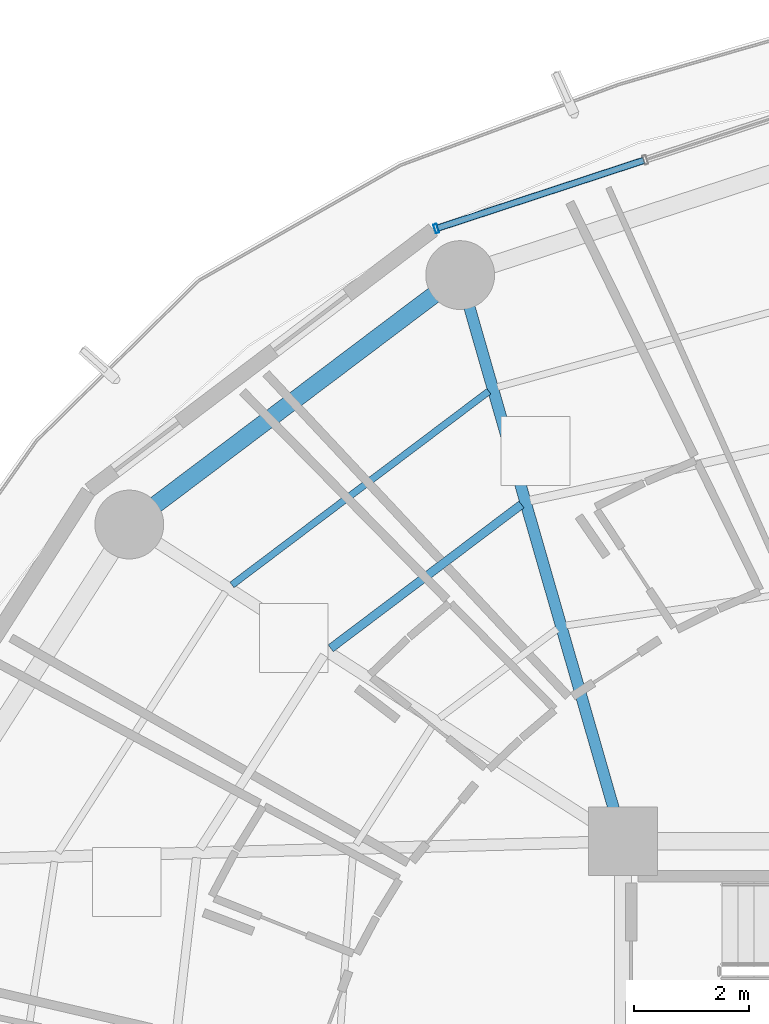
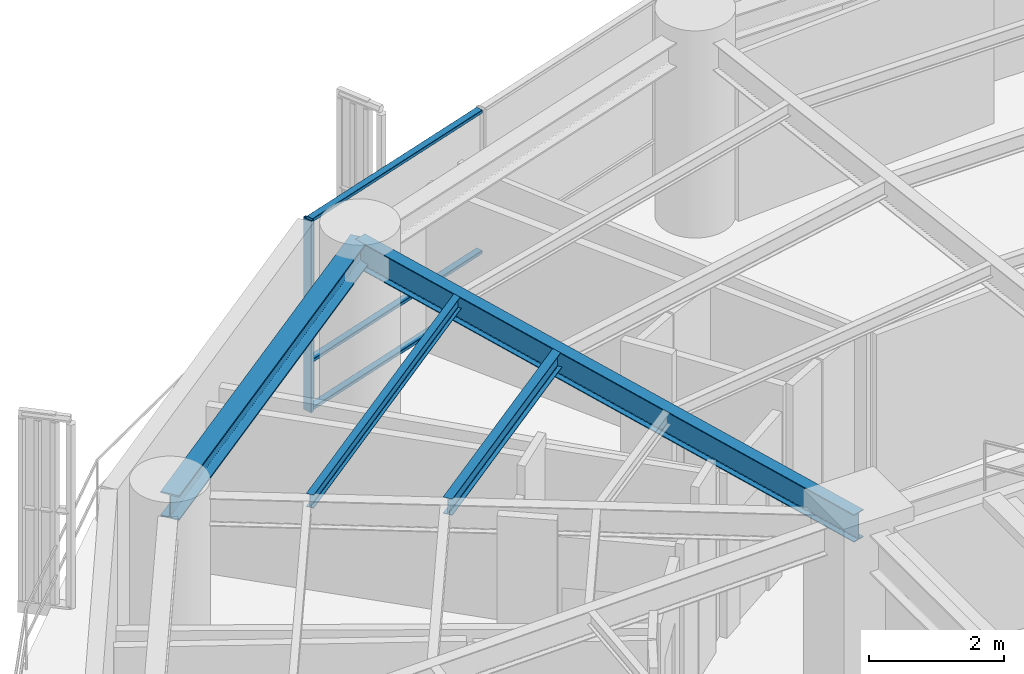
# One storey, part 16 of 28: 4 beams, 4 members, 1 element without a shape of its own.
"""IFC4 building model written with IfcOpenShell, lengths in metres."""

from ifc_helpers import new_model, si_unit, direction, frame, origin, origin_2d, place, context, subcontext, project, spatial, hollow_rectangle, i_section, extrude, material, layer, layer_set, material_profile, profile_set, type_object, element, aggregate, save


model = new_model("IFC4")

# Units and contexts
model_context = context("Model", 3, precision=1e-05, world=origin(), true_north=direction((0.0, 1.0)))
body_context = subcontext(model_context, "Body", "Model", "MODEL_VIEW")
ifc_project = project(units=[si_unit("LENGTHUNIT", "METRE"), si_unit("AREAUNIT", "SQUARE_METRE"), si_unit("VOLUMEUNIT", "CUBIC_METRE"), si_unit("PLANEANGLEUNIT", "RADIAN"), si_unit("MASSUNIT", "GRAM", prefix="KILO")], contexts=[model_context])

# Site, building, storey
site_placement = place(None, origin())
site = spatial("IfcSite", under=ifc_project, at=site_placement, CompositionType="ELEMENT")
building_placement = place(site_placement, origin())
building = spatial("IfcBuilding", under=site, at=building_placement, Name="Kelanora Arch Commons", CompositionType="ELEMENT")
storey_placement = place(building_placement, frame((0.0, 0.0, 139.35009765625)))
storey = spatial("IfcBuildingStorey", under=building, at=storey_placement, Name="L35", CompositionType="ELEMENT", Elevation=139.35009765625)

# Beams
ifc_material_1 = material(Name="Steel S355", Category="steel")
ifc_material_profile_1 = material_profile(ifc_material_1, i_section(OverallWidth=0.14990234375, OverallDepth=0.300048828125, WebThickness=0.007080078125, FlangeThickness=0.0107421875, FilletRadius=0.014892578125, at=origin_2d()), Name="IPE300")
ifc_profile_set_1 = profile_set([ifc_material_profile_1], Name="Steel S355")
beam_type_1 = type_object("IfcBeamType", Name="BM-JST-01", PredefinedType="JOIST", material=ifc_profile_set_1)
beam_1_placement = place(storey_placement, frame((64.22802734375, 70.870849609375, 3.33984375), z_axis=(-0.798463547891, -0.602043156833, 0.0), x_axis=(0.602043156833, -0.798463547891, 0.0)))
element("IfcBeam", 1, at=beam_1_placement, inside=storey, type_object=beam_type_1, Name="Secondary Chord Joist BJB-12 L35", PredefinedType="JOIST", context=body_context, shape_type="SweptSolid", body=[
    extrude(i_section(OverallWidth=0.14990234375, OverallDepth=0.300048828125, WebThickness=0.007080078125, FlangeThickness=0.0107421875, FilletRadius=0.014892578125, at=origin_2d()), origin(), (0.0, 0.0, 1.0), 4.163818359375),
])
ifc_material_profile_2 = material_profile(ifc_material_1, i_section(OverallWidth=0.1201171875, OverallDepth=0.239990234375, WebThickness=0.006103515625, FlangeThickness=0.009765625, FilletRadius=0.014892578125, at=origin_2d()), Name="IPE240")
ifc_profile_set_2 = profile_set([ifc_material_profile_2], Name="Steel S355")
beam_type_2 = type_object("IfcBeamType", Name="BM-JST-02", PredefinedType="JOIST", material=ifc_profile_set_2)
beam_2_placement = place(storey_placement, frame((63.66015625, 72.844970703125, 3.369873046875), z_axis=(-0.798493128577, -0.602003923256, 0.0), x_axis=(0.602003923256, -0.798493128577, 0.0)))
element("IfcBeam", 2, at=beam_2_placement, inside=storey, type_object=beam_type_2, Name="Secondary Chord Joist BJC-12 L35", PredefinedType="JOIST", context=body_context, shape_type="SweptSolid", body=[
    extrude(i_section(OverallWidth=0.1201171875, OverallDepth=0.239990234375, WebThickness=0.006103515625, FlangeThickness=0.009765625, FilletRadius=0.014892578125, at=origin_2d()), origin(), (0.0, 0.0, 1.0), 5.608642578125),
])
ifc_material_profile_3 = material_profile(ifc_material_1, i_section(OverallWidth=0.199951171875, OverallDepth=0.5, WebThickness=0.01025390625, FlangeThickness=0.01611328125, FilletRadius=0.02099609375, at=origin_2d()), Name="IPE500")
ifc_profile_set_3 = profile_set([ifc_material_profile_3], Name="Steel S355")
beam_type_3 = type_object("IfcBeamType", Name="BM-RAD-Z3", PredefinedType="BEAM", material=ifc_profile_set_3)
beam_3_placement = place(storey_placement, frame((66.0, 65.0, 3.239990234375), z_axis=(-0.276525880065, 0.961006471182, 0.0), x_axis=(-0.961006471182, -0.276525880065, 0.0)))
element("IfcBeam", 3, at=beam_3_placement, inside=storey, type_object=beam_type_3, Name="Radial Floor Girder BR-12 L35", PredefinedType="BEAM", context=body_context, shape_type="SweptSolid", body=[
    extrude(i_section(OverallWidth=0.199951171875, OverallDepth=0.5, WebThickness=0.01025390625, FlangeThickness=0.01611328125, FilletRadius=0.02099609375, at=origin_2d()), origin(), (0.0, 0.0, 1.0), 10.2705078125),
])
ifc_material_profile_4 = material_profile(ifc_material_1, i_section(OverallWidth=0.300048828125, OverallDepth=0.449951171875, WebThickness=0.013916015625, FlangeThickness=0.02587890625, FilletRadius=0.027099609375, at=origin_2d()), Name="HEB450")
ifc_profile_set_4 = profile_set([ifc_material_profile_4], Name="Steel S355")
beam_type_4 = type_object("IfcBeamType", Name="BM-SPN-Z3", PredefinedType="SPANDREL", material=ifc_profile_set_4)
beam_4_placement = place(storey_placement, frame((63.159912109375, 74.8701171875, 3.264892578125), z_axis=(-0.798484645564, -0.60201517489, 0.0), x_axis=(0.60201517489, -0.798484645564, 0.0)))
element("IfcBeam", 4, at=beam_4_placement, inside=storey, type_object=beam_type_4, Name="Perimeter Spandrel Beam BS-12 L35", PredefinedType="SPANDREL", context=body_context, shape_type="SweptSolid", body=[
    extrude(i_section(OverallWidth=0.300048828125, OverallDepth=0.449951171875, WebThickness=0.013916015625, FlangeThickness=0.02587890625, FilletRadius=0.027099609375, at=origin_2d()), origin(), (0.0, 0.0, 1.0), 7.223388671875),
])

# Curtain wall, members
ifc_material_2 = material(Name="Terracotta ceramic-fritted low-E glass and aluminium", Category="masonry")
ifc_layer = layer(ifc_material_2, 0.175048828125)
ifc_layer_set = layer_set([ifc_layer], Name="Terracotta ceramic-fritted low-E glass and aluminium")
curtain_wall_type = type_object("IfcCurtainWallType", Name="CW-SYS-02", PredefinedType="NOTDEFINED", material=ifc_layer_set)
curtain_wall_placement = place(storey_placement, origin())
curtain_wall = element("IfcCurtainWall", 5, at=curtain_wall_placement, inside=storey, type_object=curtain_wall_type, Name="Unitised Curtain Wall L35-B05", PredefinedType="NOTDEFINED")
ifc_material_3 = material(Name="Powder-coated aluminium terracotta", Category="masonry")
ifc_material_profile_5 = material_profile(ifc_material_3, hollow_rectangle(XDim=0.159912109375, YDim=0.06005859375, WallThickness=0.0048828125, InnerFilletRadius=0.0048828125, OuterFilletRadius=0.010009765625, at=origin_2d()), Name="CWM160x60")
ifc_profile_set_5 = profile_set([ifc_material_profile_5], Name="Powder-coated aluminium terracotta")
member_type_1 = type_object("IfcMemberType", Name="CWM-STD", PredefinedType="MULLION", material=ifc_profile_set_5)
member_1_placement = place(storey_placement, frame((62.742919921875, 75.680908203125, 0.0), z_axis=(0.0, 0.0, 1.0), x_axis=(0.312128279571, -0.95003996605, 0.0)))
member_1 = element("IfcMember", 6, at=member_1_placement, type_object=member_type_1, Name="CW-02 mullion 3", PredefinedType="MULLION", context=body_context, shape_type="SweptSolid", body=[
    extrude(hollow_rectangle(XDim=0.159912109375, YDim=0.06005859375, WallThickness=0.0048828125, InnerFilletRadius=0.0048828125, OuterFilletRadius=0.010009765625, at=origin_2d()), origin(), (0.0, 0.0, 1.0), 3.474853515625),
])
ifc_material_profile_6 = material_profile(ifc_material_3, hollow_rectangle(XDim=0.1201171875, YDim=0.06005859375, WallThickness=0.0048828125, InnerFilletRadius=0.0048828125, OuterFilletRadius=0.010009765625, at=origin_2d()), Name="CWT120x60")
ifc_profile_set_6 = profile_set([ifc_material_profile_6], Name="Powder-coated aluminium terracotta")
member_type_2 = type_object("IfcMemberType", Name="CWT-STD", PredefinedType="USERDEFINED", material=ifc_profile_set_6)
member_2_placement = place(storey_placement, frame((66.359375, 76.869140625, 0.02978515625), z_axis=(-0.950051191155, -0.312094111104, 0.0), x_axis=(0.312094111104, -0.950051191155, 0.0)))
member_2 = element("IfcMember", 7, at=member_2_placement, type_object=member_type_2, Name="CW-02 transom 2.1", ObjectType="TRANSOM", PredefinedType="USERDEFINED", context=body_context, shape_type="SweptSolid", body=[
    extrude(hollow_rectangle(XDim=0.1201171875, YDim=0.06005859375, WallThickness=0.0048828125, InnerFilletRadius=0.0048828125, OuterFilletRadius=0.010009765625, at=origin_2d()), origin(), (0.0, 0.0, 1.0), 3.77685546875),
])
member_3_placement = place(storey_placement, frame((66.359375, 76.869140625, 0.89990234375), z_axis=(-0.950051191155, -0.312094111104, 0.0), x_axis=(0.312094111104, -0.950051191155, 0.0)))
member_3 = element("IfcMember", 8, at=member_3_placement, type_object=member_type_2, Name="CW-02 transom 2.2", ObjectType="TRANSOM", PredefinedType="USERDEFINED", context=body_context, shape_type="SweptSolid", body=[
    extrude(hollow_rectangle(XDim=0.1201171875, YDim=0.06005859375, WallThickness=0.0048828125, InnerFilletRadius=0.0048828125, OuterFilletRadius=0.010009765625, at=origin_2d()), origin(), (0.0, 0.0, 1.0), 3.77685546875),
])
member_4_placement = place(storey_placement, frame((66.359375, 76.869140625, 3.44482421875), z_axis=(-0.950051191155, -0.312094111104, 0.0), x_axis=(0.312094111104, -0.950051191155, 0.0)))
member_4 = element("IfcMember", 9, at=member_4_placement, type_object=member_type_2, Name="CW-02 transom 2.3", ObjectType="TRANSOM", PredefinedType="USERDEFINED", context=body_context, shape_type="SweptSolid", body=[
    extrude(hollow_rectangle(XDim=0.1201171875, YDim=0.06005859375, WallThickness=0.0048828125, InnerFilletRadius=0.0048828125, OuterFilletRadius=0.010009765625, at=origin_2d()), origin(), (0.0, 0.0, 1.0), 3.77685546875),
])
aggregate(curtain_wall, [member_1, member_2, member_3, member_4])

save(model, "model.ifc")
